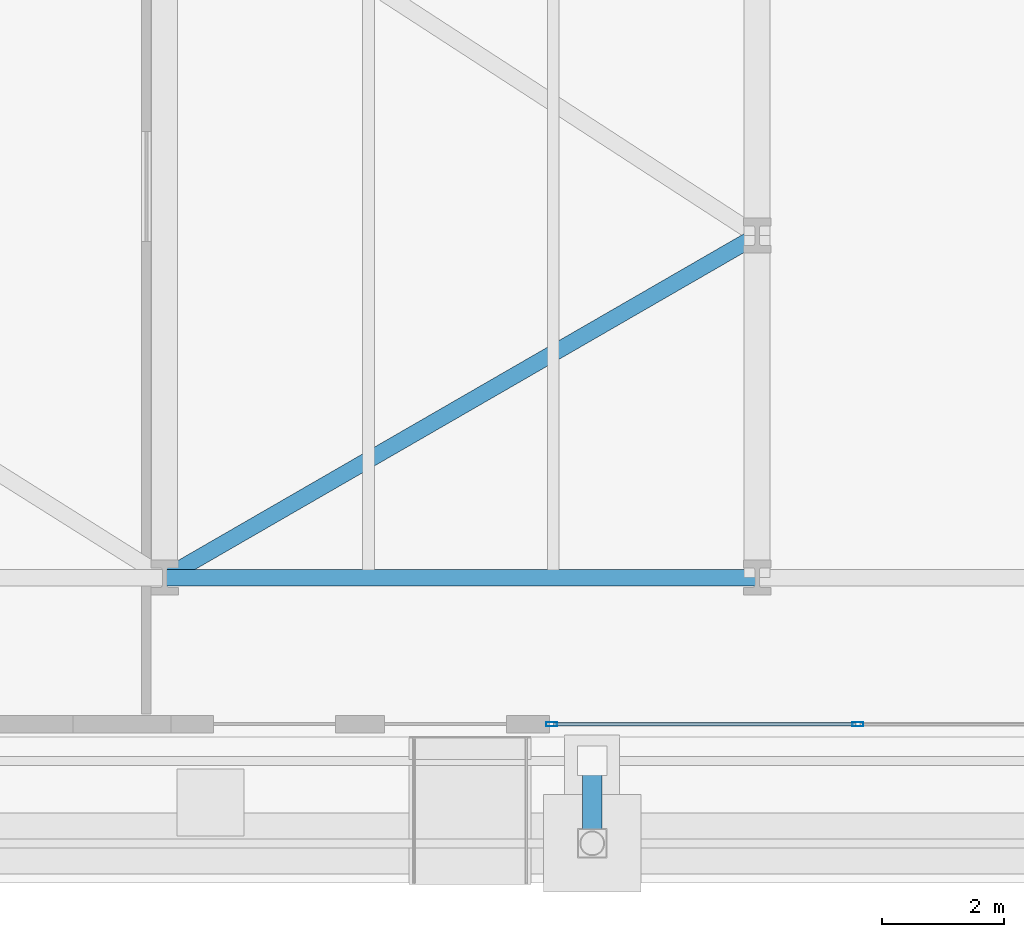
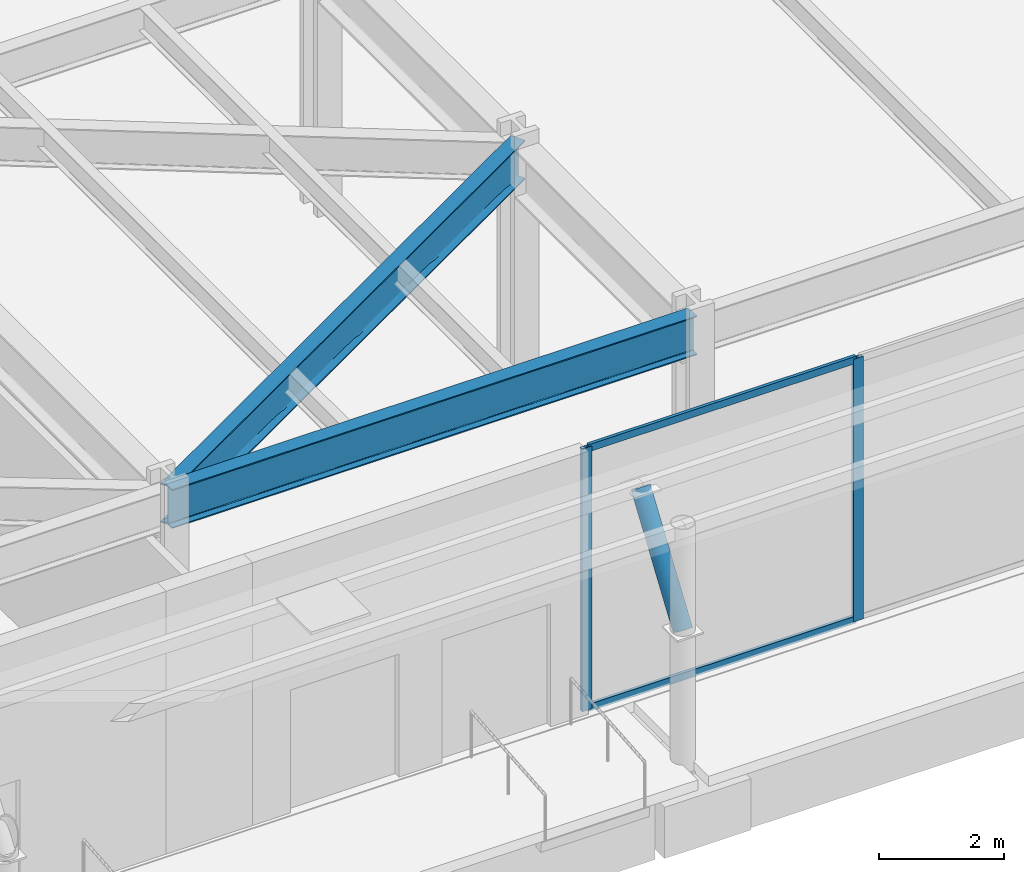
# One storey, part 5 of 31: 5 members, 2 beams, 1 element without a shape of its own.
"""IFC4 building model written with IfcOpenShell, lengths in metres."""

from ifc_helpers import new_model, si_unit, direction, frame, origin, origin_2d, place, context, subcontext, project, spatial, hollow_rectangle, hollow_circle, i_section, extrude, material, layer, layer_set, material_profile, profile_set, type_object, element, aggregate, save


model = new_model("IFC4")

# Units and contexts
model_context = context("Model", 3, precision=1e-05, world=origin(), true_north=direction((0.0, 1.0)))
body_context = subcontext(model_context, "Body", "Model", "MODEL_VIEW")
ifc_project = project(units=[si_unit("LENGTHUNIT", "METRE"), si_unit("AREAUNIT", "SQUARE_METRE"), si_unit("VOLUMEUNIT", "CUBIC_METRE"), si_unit("PLANEANGLEUNIT", "RADIAN"), si_unit("MASSUNIT", "GRAM", prefix="KILO")], contexts=[model_context])

# Site, building, storey
site_placement = place(None, origin())
site = spatial("IfcSite", under=ifc_project, at=site_placement, CompositionType="ELEMENT")
building_placement = place(site_placement, origin())
building = spatial("IfcBuilding", under=site, at=building_placement, Name="Kravanh Interchange Tower", CompositionType="ELEMENT")
storey_placement = place(building_placement, origin())
storey = spatial("IfcBuildingStorey", under=building, at=storey_placement, Name="L00", CompositionType="ELEMENT", Elevation=0.0)

# Member
ifc_material_1 = material(Name="Structural Steel S355", Category="steel")
ifc_material_profile_1 = material_profile(ifc_material_1, hollow_circle(Radius=0.162109375, WallThickness=0.011962890625, at=origin_2d()), Name="CHS324X12")
ifc_profile_set_1 = profile_set([ifc_material_profile_1], Name="Structural Steel S355")
member_type_1 = type_object("IfcMemberType", Name="Canopy Raking Strut CHS324X12 Structural Steel S355", PredefinedType="STRUT", material=ifc_profile_set_1)
member_1_placement = place(storey_placement, frame((24.5, -1.75, 2.5), z_axis=(0.0, 0.564318032466, 0.8255574833), x_axis=(-1.0, 0.0, 0.0)))
element("IfcMember", 1, at=member_1_placement, inside=storey, type_object=member_type_1, Name="Transit Canopy Raking Strut 3", PredefinedType="STRUT", context=body_context, shape_type="SweptSolid", body=[
    extrude(hollow_circle(Radius=0.162109375, WallThickness=0.011962890625, at=origin_2d()), origin(), (0.0, 0.0, 1.0), 2.392333984375),
])

# Curtain wall, members
ifc_material_2 = material(Name="Anodised Bronze Aluminium", Category="aluminium")
ifc_layer = layer(ifc_material_2, 0.179931640625)
ifc_layer_set = layer_set([ifc_layer], Name="Unitised Curtain Wall System CW-POD Podium Concourse")
curtain_wall_type = type_object("IfcCurtainWallType", Name="Unitised Curtain Wall System CW-POD Podium Concourse", PredefinedType="NOTDEFINED", material=ifc_layer_set)
curtain_wall_placement = place(storey_placement, origin())
curtain_wall = element("IfcCurtainWall", 2, at=curtain_wall_placement, inside=storey, type_object=curtain_wall_type, Name="L00 Unitised Curtain Wall CW-L00-01", PredefinedType="NOTDEFINED")
ifc_material_3 = material(Name="Anodised Bronze Aluminium", Category="aluminium")
ifc_material_profile_2 = material_profile(ifc_material_3, hollow_rectangle(XDim=0.070068359375, YDim=0.179931640625, WallThickness=0.00390625, at=origin_2d()), Name="ALU70X180X4")
ifc_profile_set_2 = profile_set([ifc_material_profile_2], Name="Anodised Bronze Aluminium")
member_type_2 = type_object("IfcMemberType", Name="Curtain Wall Mullion ALU70X180X4 Bronze", PredefinedType="MULLION", material=ifc_profile_set_2)
member_2_placement = place(storey_placement, frame((23.8349609375, 0.199951171875, 0.0), z_axis=(0.0, 0.0, 1.0), x_axis=(0.0, 1.0, 0.0)))
member_2 = element("IfcMember", 3, at=member_2_placement, type_object=member_type_2, Name="CW-POD mullion 1", PredefinedType="MULLION", context=body_context, shape_type="SweptSolid", body=[
    extrude(hollow_rectangle(XDim=0.070068359375, YDim=0.179931640625, WallThickness=0.00390625, at=origin_2d()), origin(), (0.0, 0.0, 1.0), 5.1298828125),
])
member_3_placement = place(storey_placement, frame((28.85009765625, 0.199951171875, 0.0), z_axis=(0.0, 0.0, 1.0), x_axis=(0.0, 1.0, 0.0)))
member_3 = element("IfcMember", 4, at=member_3_placement, type_object=member_type_2, Name="CW-POD mullion 2", PredefinedType="MULLION", context=body_context, shape_type="SweptSolid", body=[
    extrude(hollow_rectangle(XDim=0.070068359375, YDim=0.179931640625, WallThickness=0.00390625, at=origin_2d()), origin(), (0.0, 0.0, 1.0), 5.1298828125),
])
ifc_material_4 = material(Name="Anodised Bronze Aluminium", Category="aluminium")
ifc_material_profile_3 = material_profile(ifc_material_4, hollow_rectangle(XDim=0.06005859375, YDim=0.139892578125, WallThickness=0.00390625, at=origin_2d()), Name="ALU60X140X4")
ifc_profile_set_3 = profile_set([ifc_material_profile_3], Name="Anodised Bronze Aluminium")
member_type_3 = type_object("IfcMemberType", Name="Curtain Wall Transom ALU60X140X4 Bronze", PredefinedType="USERDEFINED", material=ifc_profile_set_3)
member_4_placement = place(storey_placement, frame((23.8701171875, 0.199951171875, 0.030029296875), z_axis=(1.0, 0.0, 0.0), x_axis=(0.0, 1.0, 0.0)))
member_4 = element("IfcMember", 5, at=member_4_placement, type_object=member_type_3, Name="CW-POD transom 1.1", ObjectType="TRANSOM", PredefinedType="USERDEFINED", context=body_context, shape_type="SweptSolid", body=[
    extrude(hollow_rectangle(XDim=0.06005859375, YDim=0.139892578125, WallThickness=0.00390625, at=origin_2d()), origin(), (0.0, 0.0, 1.0), 4.94482421875),
])
member_5_placement = place(storey_placement, frame((23.8701171875, 0.199951171875, 5.10009765625), z_axis=(1.0, 0.0, 0.0), x_axis=(0.0, 1.0, 0.0)))
member_5 = element("IfcMember", 6, at=member_5_placement, type_object=member_type_3, Name="CW-POD transom 1.2", ObjectType="TRANSOM", PredefinedType="USERDEFINED", context=body_context, shape_type="SweptSolid", body=[
    extrude(hollow_rectangle(XDim=0.06005859375, YDim=0.139892578125, WallThickness=0.00390625, at=origin_2d()), origin(), (0.0, 0.0, 1.0), 4.94482421875),
])
aggregate(curtain_wall, [member_2, member_3, member_4, member_5])

# Beams
ifc_material_5 = material(Name="Structural Steel S355", Category="steel")
ifc_material_profile_4 = material_profile(ifc_material_5, i_section(OverallWidth=0.26708984375, OverallDepth=0.761962890625, WebThickness=0.014404296875, FlangeThickness=0.021484375, FilletRadius=0.02490234375, at=origin_2d()), Name="W30X116")
ifc_profile_set_4 = profile_set([ifc_material_profile_4], Name="Structural Steel S355")
beam_type = type_object("IfcBeamType", Name="Floor Spandrel W30X116 Structural Steel S355", PredefinedType="SPANDREL", material=ifc_profile_set_4)
beam_1_placement = place(storey_placement, frame((17.5, 2.60009765625, 4.7490234375), z_axis=(1.0, 0.0, 0.0), x_axis=(0.0, 1.0, 0.0)))
element("IfcBeam", 7, at=beam_1_placement, inside=storey, type_object=beam_type, Name="L00 Perimeter Spandrel 4", PredefinedType="SPANDREL", context=body_context, shape_type="SweptSolid", body=[
    extrude(i_section(OverallWidth=0.26708984375, OverallDepth=0.761962890625, WebThickness=0.014404296875, FlangeThickness=0.021484375, FilletRadius=0.02490234375, at=origin_2d()), origin(), (0.0, 0.0, 1.0), 9.699951171875),
])
beam_2_placement = place(storey_placement, frame((17.5, 2.60009765625, 4.7490234375), z_axis=(0.866041482502, 0.499972149811, 0.0), x_axis=(-0.499972149811, 0.866041482502, 0.0)))
element("IfcBeam", 8, at=beam_2_placement, inside=storey, type_object=beam_type, Name="L00 Perimeter Spandrel 6", PredefinedType="SPANDREL", context=body_context, shape_type="SweptSolid", body=[
    extrude(i_section(OverallWidth=0.26708984375, OverallDepth=0.761962890625, WebThickness=0.014404296875, FlangeThickness=0.021484375, FilletRadius=0.02490234375, at=origin_2d()), origin(), (0.0, 0.0, 1.0), 11.200439453125),
])

save(model, "model.ifc")
